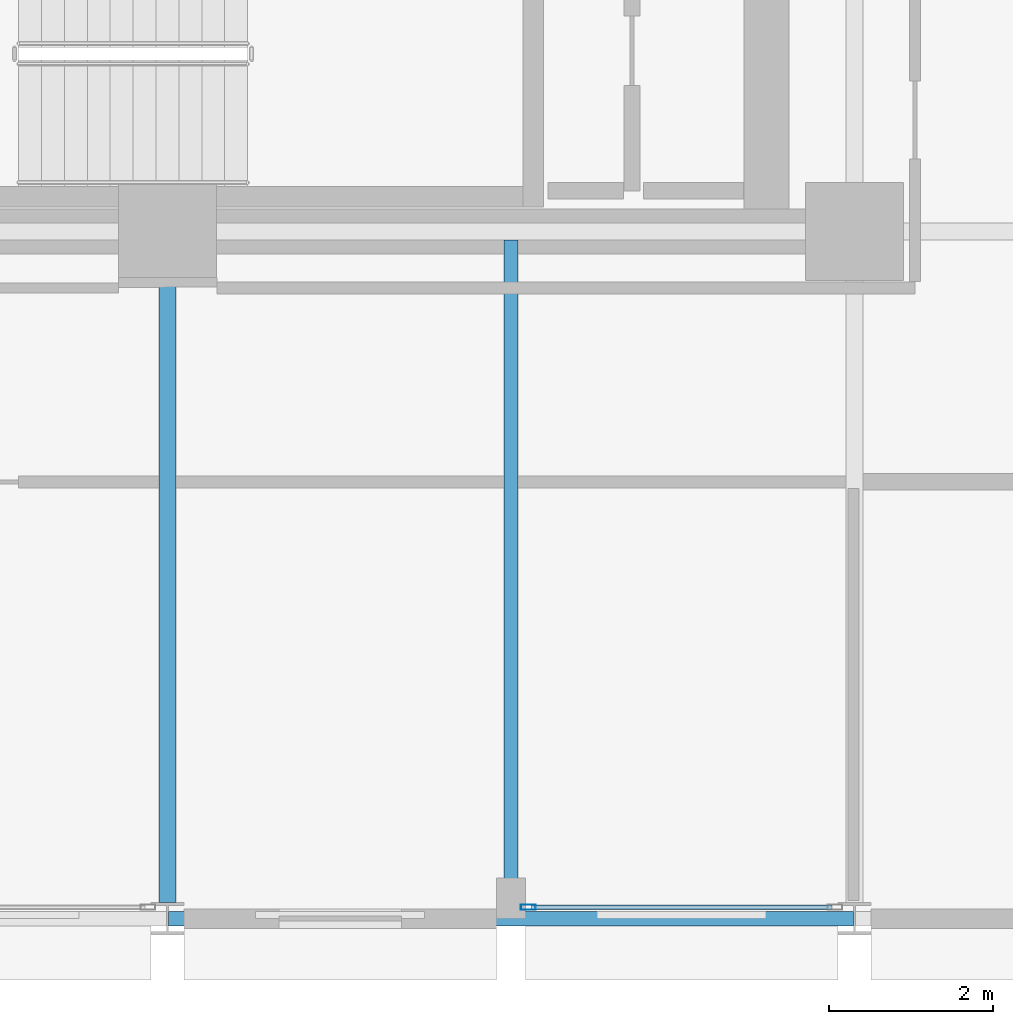
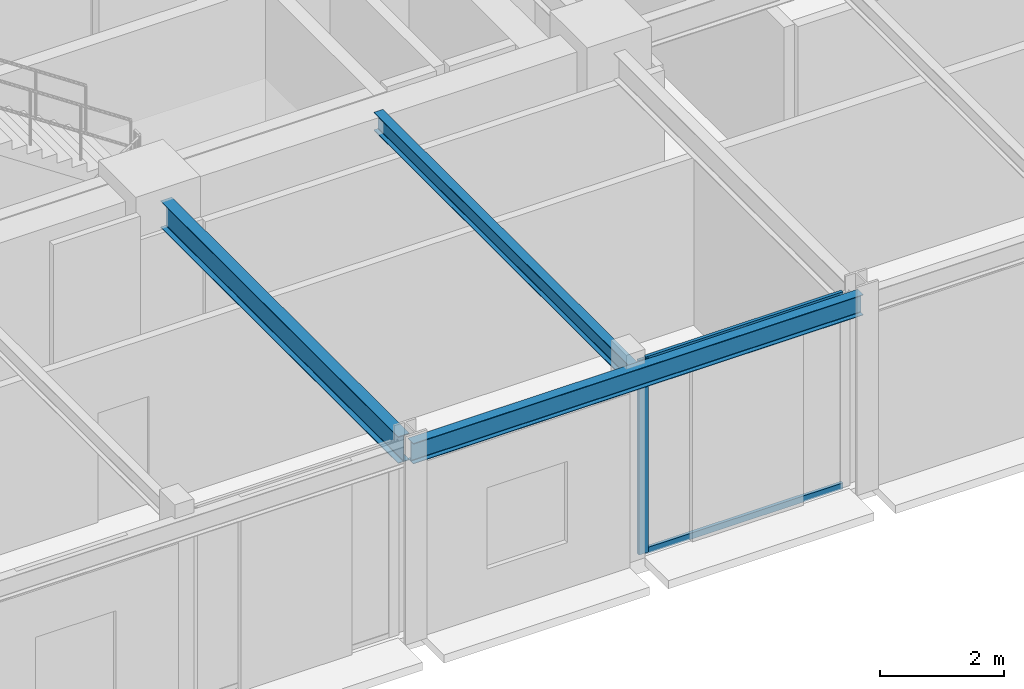
# One storey, part 9 of 39: 3 beams, 3 members, 1 element without a shape of its own.
"""IFC4 building model written with IfcOpenShell, lengths in metres."""

from ifc_helpers import new_model, si_unit, direction, frame, origin, origin_2d, place, context, subcontext, project, spatial, hollow_rectangle, i_section, extrude, material, layer, layer_set, material_profile, profile_set, type_object, element, aggregate, save


model = new_model("IFC4")

# Units and contexts
model_context = context("Model", 3, precision=1e-05, world=origin(), true_north=direction((0.0, 1.0)))
body_context = subcontext(model_context, "Body", "Model", "MODEL_VIEW")
ifc_project = project(units=[si_unit("LENGTHUNIT", "METRE"), si_unit("AREAUNIT", "SQUARE_METRE"), si_unit("VOLUMEUNIT", "CUBIC_METRE"), si_unit("PLANEANGLEUNIT", "RADIAN"), si_unit("MASSUNIT", "GRAM", prefix="KILO")], contexts=[model_context])

# Site, building, storey
site_placement = place(None, origin())
site = spatial("IfcSite", under=ifc_project, at=site_placement, CompositionType="ELEMENT")
building_placement = place(site_placement, origin())
building = spatial("IfcBuilding", under=site, at=building_placement, Name="Nerrivon Quay Data Exchange", CompositionType="ELEMENT")
storey_placement = place(building_placement, frame((0.0, 0.0, 104.89990234375)))
storey = spatial("IfcBuildingStorey", under=building, at=storey_placement, Name="L24", CompositionType="ELEMENT", Elevation=104.89990234375)

# Beams
ifc_material_1 = material(Name="Steel Grade 350", Category="steel")
ifc_material_profile_1 = material_profile(ifc_material_1, i_section(OverallWidth=0.208984375, OverallDepth=0.528076171875, WebThickness=0.009521484375, FlangeThickness=0.01318359375, FilletRadius=0.013916015625, at=origin_2d()), Name="530UB82.0")
ifc_profile_set_1 = profile_set([ifc_material_profile_1], Name="Steel Grade 350")
beam_type_1 = type_object("IfcBeamType", Name="BM-G4-530UB82", PredefinedType="BEAM", material=ifc_profile_set_1)
beam_1_placement = place(storey_placement, frame((25.199951171875, 0.199951171875, 3.56103515625), z_axis=(0.0, 1.0, 0.0), x_axis=(-1.0, 0.0, 0.0)))
element("IfcBeam", 1, at=beam_1_placement, inside=storey, type_object=beam_type_1, Name="L24 NS Girder X=25.2 (0.0..8.4)", PredefinedType="BEAM", context=body_context, shape_type="SweptSolid", body=[
    extrude(i_section(OverallWidth=0.208984375, OverallDepth=0.528076171875, WebThickness=0.009521484375, FlangeThickness=0.01318359375, FilletRadius=0.013916015625, at=origin_2d()), origin(), (0.0, 0.0, 1.0), 7.66015625),
])
ifc_material_profile_2 = material_profile(ifc_material_1, i_section(OverallWidth=0.1708984375, OverallDepth=0.35595703125, WebThickness=0.00732421875, FlangeThickness=0.011474609375, FilletRadius=0.011474609375, at=origin_2d()), Name="360UB50.7")
ifc_profile_set_2 = profile_set([ifc_material_profile_2], Name="Steel Grade 350")
beam_type_2 = type_object("IfcBeamType", Name="BM-J4-360UB51", PredefinedType="JOIST", material=ifc_profile_set_2)
beam_2_placement = place(storey_placement, frame((29.39990234375, 0.089111328125, 3.647216796875), z_axis=(0.0, 1.0, 0.0), x_axis=(-1.0, 0.0, 0.0)))
element("IfcBeam", 2, at=beam_2_placement, inside=storey, type_object=beam_type_2, Name="L24 Secondary Joist X=29.4 (0.0..8.4)", PredefinedType="JOIST", context=body_context, shape_type="SweptSolid", body=[
    extrude(i_section(OverallWidth=0.1708984375, OverallDepth=0.35595703125, WebThickness=0.00732421875, FlangeThickness=0.011474609375, FilletRadius=0.011474609375, at=origin_2d()), origin(), (0.0, 0.0, 1.0), 8.206298828125),
])
ifc_material_profile_3 = material_profile(ifc_material_1, i_section(OverallWidth=0.177978515625, OverallDepth=0.403076171875, WebThickness=0.007568359375, FlangeThickness=0.010986328125, FilletRadius=0.011474609375, at=origin_2d()), Name="410UB53.7")
ifc_profile_set_3 = profile_set([ifc_material_profile_3], Name="Steel Grade 350")
beam_type_3 = type_object("IfcBeamType", Name="BM-SP2-410UB54", PredefinedType="SPANDREL", material=ifc_profile_set_3)
beam_3_placement = place(storey_placement, frame((25.21240234375, 0.0, 3.62353515625), z_axis=(1.0, 0.0, 0.0), x_axis=(0.0, 1.0, 0.0)))
element("IfcBeam", 3, at=beam_3_placement, inside=storey, type_object=beam_type_3, Name="L24 EW Girder Y=0.0 (25.2..33.6)", PredefinedType="SPANDREL", context=body_context, shape_type="SweptSolid", body=[
    extrude(i_section(OverallWidth=0.177978515625, OverallDepth=0.403076171875, WebThickness=0.007568359375, FlangeThickness=0.010986328125, FilletRadius=0.011474609375, at=origin_2d()), origin(), (0.0, 0.0, 1.0), 8.375),
])

# Curtain wall, members
ifc_material_2 = material(Name="Anodised aluminium 6063-T6", Category="aluminium")
ifc_layer = layer(ifc_material_2, 0.2099609375)
ifc_layer_set = layer_set([ifc_layer], Name="Anodised aluminium 6063-T6")
curtain_wall_type = type_object("IfcCurtainWallType", Name="CW-SYS-02", PredefinedType="NOTDEFINED", material=ifc_layer_set)
curtain_wall_placement = place(storey_placement, origin())
curtain_wall = element("IfcCurtainWall", 4, at=curtain_wall_placement, inside=storey, type_object=curtain_wall_type, Name="L24 Unitised Curtain Wall 8", PredefinedType="NOTDEFINED")
ifc_material_profile_4 = material_profile(ifc_material_2, hollow_rectangle(XDim=0.06494140625, YDim=0.179931640625, WallThickness=0.00341796875, at=origin_2d()), Name="ALU-MULL-180x65")
ifc_profile_set_4 = profile_set([ifc_material_profile_4], Name="Anodised aluminium 6063-T6")
member_type_1 = type_object("IfcMemberType", Name="CWM-180x65", PredefinedType="MULLION", material=ifc_profile_set_4)
member_1_placement = place(storey_placement, frame((29.612548828125, 0.139892578125, 0.0), z_axis=(0.0, 0.0, 1.0), x_axis=(0.0, -1.0, 0.0)))
member_1 = element("IfcMember", 5, at=member_1_placement, type_object=member_type_1, Name="CW02 mullion 2", PredefinedType="MULLION", context=body_context, shape_type="SweptSolid", body=[
    extrude(hollow_rectangle(XDim=0.06494140625, YDim=0.179931640625, WallThickness=0.00341796875, at=origin_2d()), origin(), (0.0, 0.0, 1.0), 3.8251953125),
])
ifc_material_profile_5 = material_profile(ifc_material_2, hollow_rectangle(XDim=0.06005859375, YDim=0.1201171875, WallThickness=0.003173828125, at=origin_2d()), Name="ALU-TRAN-120x60")
ifc_profile_set_5 = profile_set([ifc_material_profile_5], Name="Anodised aluminium 6063-T6")
member_type_2 = type_object("IfcMemberType", Name="CWT-120x60", PredefinedType="USERDEFINED", material=ifc_profile_set_5)
member_2_placement = place(storey_placement, frame((33.324951171875, 0.139892578125, 0.03271484375), z_axis=(-1.0, 0.0, 0.0), x_axis=(0.0, -1.0, 0.0)))
member_2 = element("IfcMember", 6, at=member_2_placement, type_object=member_type_2, Name="CW02 transom 1.1", ObjectType="TRANSOM", PredefinedType="USERDEFINED", context=body_context, shape_type="SweptSolid", body=[
    extrude(hollow_rectangle(XDim=0.06005859375, YDim=0.1201171875, WallThickness=0.003173828125, at=origin_2d()), origin(), (0.0, 0.0, 1.0), 3.675048828125),
])
member_3_placement = place(storey_placement, frame((33.324951171875, 0.139892578125, 3.79248046875), z_axis=(-1.0, 0.0, 0.0), x_axis=(0.0, -1.0, 0.0)))
member_3 = element("IfcMember", 7, at=member_3_placement, type_object=member_type_2, Name="CW02 transom 1.2", ObjectType="TRANSOM", PredefinedType="USERDEFINED", context=body_context, shape_type="SweptSolid", body=[
    extrude(hollow_rectangle(XDim=0.06005859375, YDim=0.1201171875, WallThickness=0.003173828125, at=origin_2d()), origin(), (0.0, 0.0, 1.0), 3.675048828125),
])
aggregate(curtain_wall, [member_1, member_2, member_3])

save(model, "model.ifc")
